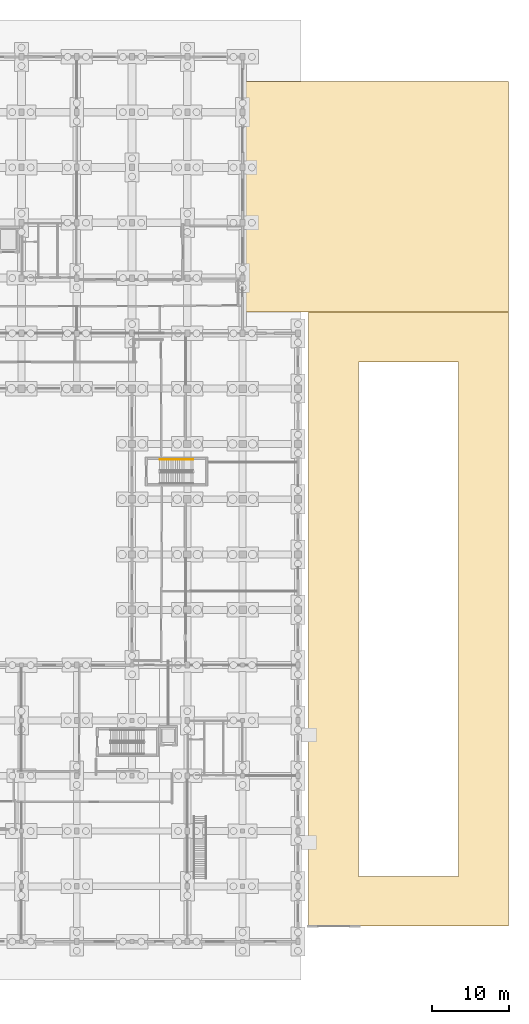
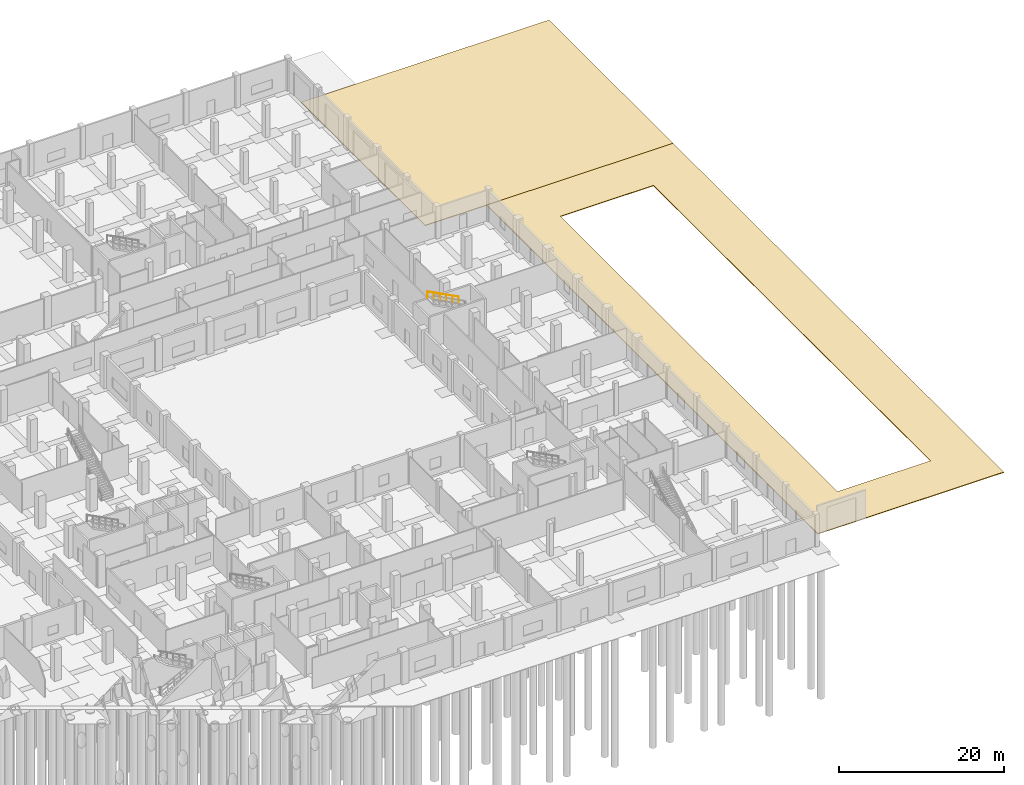
# One storey, part 47 of 48: 2 coverings, 1 railing.
"""IFC4 building model written with IfcOpenShell, lengths in metres."""

from ifc_helpers import new_model, si_unit, direction, frame, origin, origin_2d, place, context, subcontext, project, spatial, polyline, circle, outline, extrude, material, layer, layer_set, type_object, element, save


model = new_model("IFC4")

# Units and contexts
model_context = context("Model", 3, precision=1e-05, world=origin(), true_north=direction((0.0, 1.0)))
body_context = subcontext(model_context, "Body", "Model", "MODEL_VIEW")
ifc_project = project(units=[si_unit("LENGTHUNIT", "METRE"), si_unit("AREAUNIT", "SQUARE_METRE"), si_unit("VOLUMEUNIT", "CUBIC_METRE"), si_unit("PLANEANGLEUNIT", "RADIAN"), si_unit("MASSUNIT", "GRAM", prefix="KILO")], contexts=[model_context])

# Site, building, storey
site_placement = place(None, origin())
site = spatial("IfcSite", under=ifc_project, at=site_placement, CompositionType="ELEMENT")
building_placement = place(site_placement, origin())
building = spatial("IfcBuilding", under=site, at=building_placement, Name="Seraya Terrace Polytechnic", CompositionType="ELEMENT")
storey_placement = place(building_placement, origin())
storey = spatial("IfcBuildingStorey", under=building, at=storey_placement, Name="L00", CompositionType="ELEMENT", Elevation=0.0)

# Railing
ifc_material_1 = material(Name="Steel S355J2", Category="steel")
railing_type = type_object("IfcRailingType", Name="HR-01", PredefinedType="HANDRAIL", material=ifc_material_1)
railing_placement = place(storey_placement, frame((151.949951171875, 62.75, 2.550048828125)))
element("IfcRailing", 1, at=railing_placement, inside=storey, type_object=railing_type, Name="L00 ST-11 stair handrail 2", PredefinedType="HANDRAIL", context=body_context, shape_type="SweptSolid", body=[
    extrude(circle(Radius=0.02392578125, at=origin_2d()), frame((0.0, 0.0, 0.8759765625), z_axis=(-0.888211329745, 0.0, 0.459435124596), x_axis=(0.0, -1.0, 0.0)), (0.0, 0.0, 1.0), 4.897216796875),
    extrude(circle(Radius=0.02099609375, at=origin_2d()), origin(), (0.0, 0.0, 1.0), 0.851806640625),
    extrude(circle(Radius=0.02099609375, at=origin_2d()), frame((-0.869873046875, 0.0, 0.449951171875)), (0.0, 0.0, 1.0), 0.851806640625),
    extrude(circle(Radius=0.02099609375, at=origin_2d()), frame((-1.739990234375, 0.0, 0.89990234375)), (0.0, 0.0, 1.0), 0.851806640625),
    extrude(circle(Radius=0.02099609375, at=origin_2d()), frame((-2.60986328125, 0.0, 1.35009765625)), (0.0, 0.0, 1.0), 0.851806640625),
    extrude(circle(Radius=0.02099609375, at=origin_2d()), frame((-3.47998046875, 0.0, 1.800048828125)), (0.0, 0.0, 1.0), 0.851806640625),
    extrude(circle(Radius=0.02099609375, at=origin_2d()), frame((-4.349853515625, 0.0, 2.25)), (0.0, 0.0, 1.0), 0.851806640625),
])

# Coverings
ifc_material_2 = material(Name="Heavy-duty concrete car-park roadway", Category="concrete")
ifc_layer = layer(ifc_material_2, 0.10009765625, Name="RD-01")
ifc_layer_set = layer_set([ifc_layer], Name="Heavy-duty concrete car-park roadway")
covering_type = type_object("IfcCoveringType", Name="RD-01", PredefinedType="USERDEFINED", material=ifc_layer_set)
covering_1_placement = place(storey_placement, frame((0.0, 0.0, -0.10009765625)))
element("IfcCovering", 2, at=covering_1_placement, inside=storey, type_object=covering_type, Name="Continuous 6.5 m two-way surface loop car park carriageway", ObjectType="ROADWAY", PredefinedType="USERDEFINED", context=body_context, shape_type="SweptSolid", body=[
    extrude(outline(polyline([(167.0, 2.0), (167.0, 82.0), (193.0, 82.0), (193.0, 2.0), (167.0, 2.0)]), holes=[polyline([(186.5, 75.5), (173.5, 75.5), (173.5, 8.5), (186.5, 8.5), (186.5, 75.5)])]), origin(), (0.0, 0.0, 1.0), 0.10009765625),
])
covering_2_placement = place(storey_placement, frame((0.0, 0.0, -0.10009765625)))
element("IfcCovering", 3, at=covering_2_placement, inside=storey, type_object=covering_type, Name="Segregated East HGV truck loading berths and turning apron", ObjectType="ROADWAY", PredefinedType="USERDEFINED", context=body_context, shape_type="SweptSolid", body=[
    extrude(outline(polyline([(158.39990234375, 82.0), (193.0, 82.0), (193.0, 112.0), (158.39990234375, 112.0), (158.39990234375, 82.0)])), origin(), (0.0, 0.0, 1.0), 0.10009765625),
])

save(model, "model.ifc")
